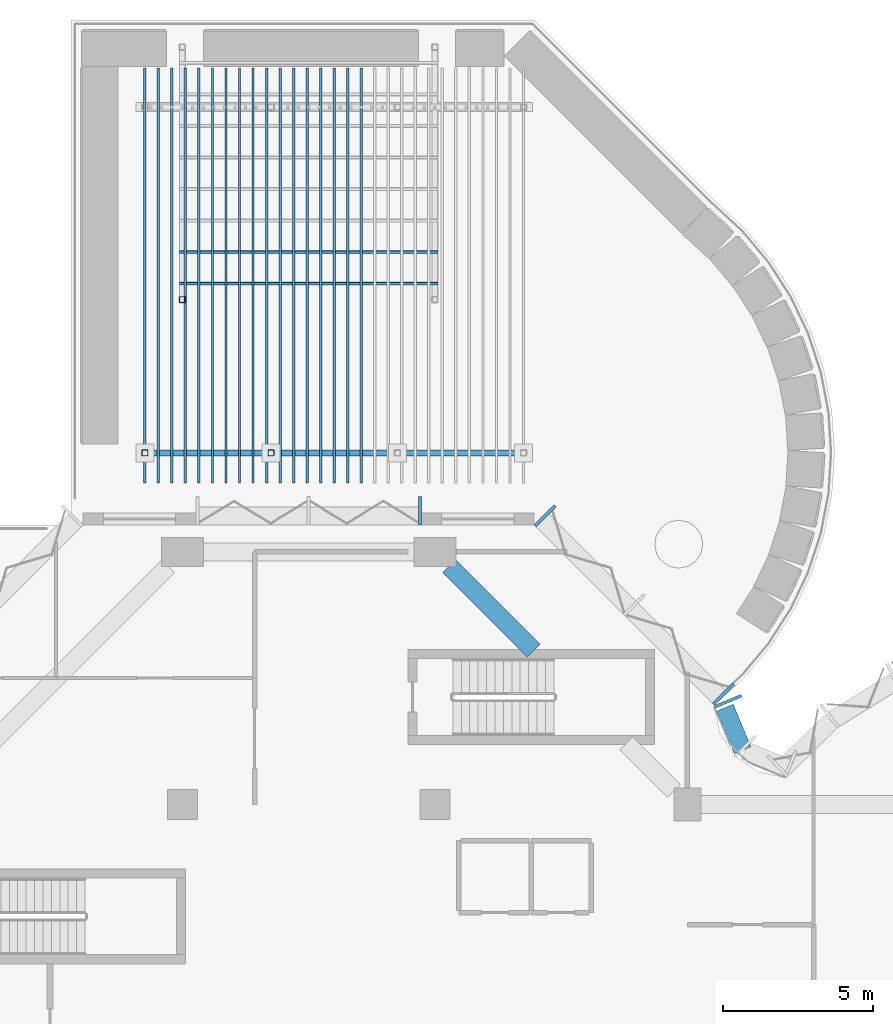
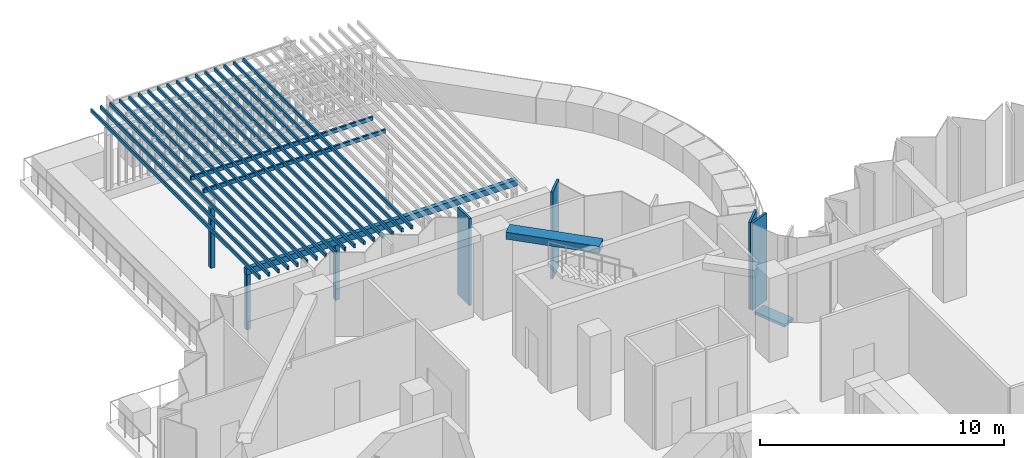
# One storey, part 3 of 15: 28 members, 1 beam, 3 elements without a shape of their own.
"""IFC4 building model written with IfcOpenShell, lengths in metres."""

from ifc_helpers import new_model, si_unit, direction, frame, origin, origin_2d, place, context, subcontext, project, spatial, rectangle, hollow_rectangle, extrude, material, material_profile, profile_set, type_object, element, aggregate, save


model = new_model("IFC4")

# Units and contexts
model_context = context("Model", 3, precision=1e-05, world=origin(), true_north=direction((0.0, 1.0)))
body_context = subcontext(model_context, "Body", "Model", "MODEL_VIEW")
ifc_project = project(units=[si_unit("LENGTHUNIT", "METRE"), si_unit("AREAUNIT", "SQUARE_METRE"), si_unit("VOLUMEUNIT", "CUBIC_METRE"), si_unit("PLANEANGLEUNIT", "RADIAN"), si_unit("MASSUNIT", "GRAM", prefix="KILO")], contexts=[model_context])

# Site, building, storey
site_placement = place(None, origin())
site = spatial("IfcSite", under=ifc_project, at=site_placement, CompositionType="ELEMENT")
building_placement = place(site_placement, origin())
building = spatial("IfcBuilding", under=site, at=building_placement, Name="Brevane Broadcast Tower", CompositionType="ELEMENT")
storey_placement = place(building_placement, frame((0.0, 0.0, 206.39990234375)))
storey = spatial("IfcBuildingStorey", under=building, at=storey_placement, Name="L52", CompositionType="ELEMENT", Elevation=206.39990234375)

# Curtain wall, member
ifc_material_1 = material(Name="Aluminium 6063-T6 bronze anodised", Category="aluminium")
curtain_wall_type = type_object("IfcCurtainWallType", Name="CW-4 curtain wall", PredefinedType="NOTDEFINED", material=ifc_material_1)
curtain_wall_1_placement = place(storey_placement, origin())
curtain_wall_1 = element("IfcCurtainWall", 1, at=curtain_wall_1_placement, inside=storey, type_object=curtain_wall_type, Name="CW-4 sky lobby unit L52 inner corner", PredefinedType="NOTDEFINED")
ifc_material_profile_1 = material_profile(ifc_material_1, rectangle(XDim=0.949951171875, YDim=0.10009765625, at=origin_2d()), Name="RECT 100x950")
ifc_profile_set_1 = profile_set([ifc_material_profile_1], Name="Aluminium 6063-T6 bronze anodised")
member_type_1 = type_object("IfcMemberType", Name="CW-4 mullion 100x950", PredefinedType="MULLION", material=ifc_profile_set_1)
member_1_placement = place(storey_placement, frame((26.557861328125, 28.635498046875, -0.159912109375), z_axis=(0.0, 0.0, 1.0), x_axis=(-0.923879532511, -0.382683432365, 0.0)))
member_1 = element("IfcMember", 2, at=member_1_placement, type_object=member_type_1, Name="CW-4 mullion", PredefinedType="MULLION", context=body_context, shape_type="SweptSolid", body=[
    extrude(rectangle(XDim=0.949951171875, YDim=0.10009765625, at=origin_2d()), origin(), (0.0, 0.0, 1.0), 4.360107421875),
])

# Curtain wall, members
curtain_wall_2_placement = place(storey_placement, origin())
curtain_wall_2 = element("IfcCurtainWall", 3, at=curtain_wall_2_placement, inside=storey, type_object=curtain_wall_type, Name="CW-4 sky lobby unit L52 north arm north-east chamfer", PredefinedType="NOTDEFINED")
member_2_placement = place(storey_placement, frame((26.400634765625, 28.871337890625, -0.159912109375), z_axis=(0.0, 0.0, 1.0), x_axis=(-0.707106781187, -0.707106781187, 0.0)))
member_2 = element("IfcMember", 4, at=member_2_placement, type_object=member_type_1, Name="CW-4 mullion", PredefinedType="MULLION", context=body_context, shape_type="SweptSolid", body=[
    extrude(rectangle(XDim=0.949951171875, YDim=0.10009765625, at=origin_2d()), origin(), (0.0, 0.0, 1.0), 4.360107421875),
])
member_3_placement = place(storey_placement, frame((20.47119140625, 34.800537109375, -0.159912109375), z_axis=(0.0, 0.0, 1.0), x_axis=(-0.707106781187, -0.707106781187, 0.0)))
member_3 = element("IfcMember", 5, at=member_3_placement, type_object=member_type_1, Name="CW-4 mullion", PredefinedType="MULLION", context=body_context, shape_type="SweptSolid", body=[
    extrude(rectangle(XDim=0.949951171875, YDim=0.10009765625, at=origin_2d()), origin(), (0.0, 0.0, 1.0), 4.360107421875),
])
aggregate(curtain_wall_2, [member_2, member_3])

# Curtain wall, member
curtain_wall_3_placement = place(storey_placement, origin())
curtain_wall_3 = element("IfcCurtainWall", 6, at=curtain_wall_3_placement, inside=storey, type_object=curtain_wall_type, Name="CW-4 sky lobby unit L52 north end", PredefinedType="NOTDEFINED")
member_4_placement = place(storey_placement, frame((16.300048828125, 34.97509765625, -0.159912109375), z_axis=(0.0, 0.0, 1.0), x_axis=(0.0, -1.0, 0.0)))
member_4 = element("IfcMember", 7, at=member_4_placement, type_object=member_type_1, Name="CW-4 mullion", PredefinedType="MULLION", context=body_context, shape_type="SweptSolid", body=[
    extrude(rectangle(XDim=0.949951171875, YDim=0.10009765625, at=origin_2d()), origin(), (0.0, 0.0, 1.0), 4.360107421875),
])
aggregate(curtain_wall_3, [member_4])

# Member
ifc_material_profile_2 = material_profile(ifc_material_1, rectangle(XDim=0.60009765625, YDim=0.139892578125, at=origin_2d()), Name="RECT 140x600")
ifc_profile_set_2 = profile_set([ifc_material_profile_2], Name="Aluminium 6063-T6 bronze anodised")
member_type_2 = type_object("IfcMemberType", Name="CW-4 transom 140x600", PredefinedType="USERDEFINED", material=ifc_profile_set_2)
member_5_placement = place(storey_placement, frame((27.039794921875, 27.0, -0.22998046875), z_axis=(-0.382674472816, 0.923883243627, 0.0), x_axis=(-0.923883243627, -0.382674472816, 0.0)))
member_5 = element("IfcMember", 8, at=member_5_placement, type_object=member_type_2, Name="CW-4 transom", ObjectType="TRANSOM", PredefinedType="USERDEFINED", context=body_context, shape_type="SweptSolid", body=[
    extrude(rectangle(XDim=0.60009765625, YDim=0.139892578125, at=origin_2d()), origin(), (0.0, 0.0, 1.0), 1.536865234375),
])

aggregate(curtain_wall_1, [member_1, member_5])

# Beam
ifc_material_2 = material(Name="Concrete C40/50", Category="concrete")
ifc_material_profile_3 = material_profile(ifc_material_2, rectangle(XDim=0.60009765625, YDim=0.35009765625, at=origin_2d()), Name="RC 600x350")
ifc_profile_set_3 = profile_set([ifc_material_profile_3], Name="Concrete C40/50")
beam_type = type_object("IfcBeamType", Name="RC SPANDREL BEAM 600x350 C40/50", PredefinedType="SPANDREL", material=ifc_profile_set_3)
beam_placement = place(storey_placement, frame((20.080078125, 30.320068359375, 4.025146484375), z_axis=(-0.707137552386, 0.707076008648, 0.0), x_axis=(-0.707076008648, -0.707137552386, 0.0)))
element("IfcBeam", 9, at=beam_placement, inside=storey, type_object=beam_type, Name="EB1 L52-12", PredefinedType="SPANDREL", context=body_context, shape_type="SweptSolid", body=[
    extrude(rectangle(XDim=0.60009765625, YDim=0.35009765625, at=origin_2d()), origin(), (0.0, 0.0, 1.0), 3.967041015625),
])

# Members
ifc_material_3 = material(Name="Steel S355", Category="steel")
ifc_material_profile_4 = material_profile(ifc_material_3, hollow_rectangle(XDim=0.199951171875, YDim=0.199951171875, WallThickness=0.010009765625, InnerFilletRadius=0.010009765625, OuterFilletRadius=0.02001953125, at=origin_2d()), Name="RHS 200x200x10")
ifc_profile_set_4 = profile_set([ifc_material_profile_4], Name="Steel S355")
member_type_3 = type_object("IfcMemberType", Name="Sky garden pergola post RHS 200x200x10 S355", PredefinedType="POST", material=ifc_profile_set_4)
member_6_placement = place(storey_placement, frame((8.39990234375, 42.0, 0.0), z_axis=(0.0, 0.0, 1.0), x_axis=(1.0, 0.0, 0.0)))
element("IfcMember", 10, at=member_6_placement, inside=storey, type_object=member_type_3, Name="Sky garden pergola post L52-1", PredefinedType="POST", context=body_context, shape_type="SweptSolid", body=[
    extrude(hollow_rectangle(XDim=0.199951171875, YDim=0.199951171875, WallThickness=0.010009765625, InnerFilletRadius=0.010009765625, OuterFilletRadius=0.02001953125, at=origin_2d()), origin(), (0.0, 0.0, 1.0), 3.0),
])
for number, where, z_axis, x_axis, name in (
    (11, (7.14990234375, 36.89990234375, 0.4501953125), (0.0, 0.0, 1.0), (1.0, 0.0, 0.0), "Sky garden trellis post L52-1"),
    (12, (11.35009765625, 36.89990234375, 0.4501953125), (0.0, 0.0, 1.0), (1.0, 0.0, 0.0), "Sky garden trellis post L52-2"),
):
    element("IfcMember", number, at=place(storey_placement, frame(where, z_axis=z_axis, x_axis=x_axis)), inside=storey, type_object=member_type_3, Name=name, PredefinedType="POST", context=body_context, shape_type="SweptSolid", body=[
        extrude(hollow_rectangle(XDim=0.199951171875, YDim=0.199951171875, WallThickness=0.010009765625, InnerFilletRadius=0.010009765625, OuterFilletRadius=0.02001953125, at=origin_2d()), origin(), (0.0, 0.0, 1.0), 2.75),
    ])
ifc_material_profile_5 = material_profile(ifc_material_3, hollow_rectangle(XDim=0.10009765625, YDim=0.199951171875, WallThickness=0.008056640625, InnerFilletRadius=0.008056640625, OuterFilletRadius=0.01611328125, at=origin_2d()), Name="RHS 200x100x8")
ifc_profile_set_5 = profile_set([ifc_material_profile_5], Name="Steel S355")
member_type_4 = type_object("IfcMemberType", Name="Sky garden pergola rafter RHS 200x100x8 S355", PredefinedType="USERDEFINED", material=ifc_profile_set_5)
for number, where, z_axis, x_axis, name in (
    (13, (8.300048828125, 42.52490234375, 3.5), (1.0, 0.0, 0.0), (0.0, 1.0, 0.0), "Sky garden pergola rafter L52-1"),
    (14, (8.300048828125, 43.574951171875, 3.5), (1.0, 0.0, 0.0), (0.0, 1.0, 0.0), "Sky garden pergola rafter L52-2"),
):
    element("IfcMember", number, at=place(storey_placement, frame(where, z_axis=z_axis, x_axis=x_axis)), inside=storey, type_object=member_type_4, Name=name, ObjectType="PERGOLA RAFTER", PredefinedType="USERDEFINED", context=body_context, shape_type="SweptSolid", body=[
        extrude(hollow_rectangle(XDim=0.10009765625, YDim=0.199951171875, WallThickness=0.008056640625, InnerFilletRadius=0.008056640625, OuterFilletRadius=0.01611328125, at=origin_2d()), origin(), (0.0, 0.0, 1.0), 8.599853515625),
    ])
ifc_material_4 = material(Name="Glulam GL28h", Category="wood")
ifc_material_profile_6 = material_profile(ifc_material_4, rectangle(XDim=0.199951171875, YDim=0.300048828125, at=origin_2d()), Name="RECT 200x300")
ifc_profile_set_6 = profile_set([ifc_material_profile_6], Name="Glulam GL28h")
member_type_5 = type_object("IfcMemberType", Name="Sky garden trellis beam glulam 200x300 GL28h", PredefinedType="USERDEFINED", material=ifc_profile_set_6)
member_7_placement = place(storey_placement, frame((7.050048828125, 36.89990234375, 3.35009765625), z_axis=(1.0, 0.0, 0.0), x_axis=(0.0, 1.0, 0.0)))
element("IfcMember", 15, at=member_7_placement, inside=storey, type_object=member_type_5, Name="Sky garden trellis beam L52-1", ObjectType="TRELLIS BEAM", PredefinedType="USERDEFINED", context=body_context, shape_type="SweptSolid", body=[
    extrude(rectangle(XDim=0.199951171875, YDim=0.300048828125, at=origin_2d()), origin(), (0.0, 0.0, 1.0), 12.800048828125),
])
ifc_material_profile_7 = material_profile(ifc_material_4, rectangle(XDim=0.080078125, YDim=0.179931640625, at=origin_2d()), Name="RECT 80x180")
ifc_profile_set_7 = profile_set([ifc_material_profile_7], Name="Glulam GL28h")
member_type_6 = type_object("IfcMemberType", Name="Sky garden trellis rafter glulam 80x180 GL28h", PredefinedType="USERDEFINED", material=ifc_profile_set_7)
for number, where, z_axis, x_axis, name in (
    (16, (7.14990234375, 35.89990234375, 3.590087890625), (0.0, 1.0, 0.0), (-1.0, 0.0, 0.0), "Sky garden trellis rafter L52-1"),
    (17, (7.60009765625, 35.89990234375, 3.590087890625), (0.0, 1.0, 0.0), (-1.0, 0.0, 0.0), "Sky garden trellis rafter L52-2"),
    (18, (8.050048828125, 35.89990234375, 3.590087890625), (0.0, 1.0, 0.0), (-1.0, 0.0, 0.0), "Sky garden trellis rafter L52-3"),
    (19, (8.5, 35.89990234375, 3.590087890625), (0.0, 1.0, 0.0), (-1.0, 0.0, 0.0), "Sky garden trellis rafter L52-4"),
    (20, (8.949951171875, 35.89990234375, 3.590087890625), (0.0, 1.0, 0.0), (-1.0, 0.0, 0.0), "Sky garden trellis rafter L52-5"),
    (21, (9.39990234375, 35.89990234375, 3.590087890625), (0.0, 1.0, 0.0), (-1.0, 0.0, 0.0), "Sky garden trellis rafter L52-6"),
    (22, (9.85009765625, 35.89990234375, 3.590087890625), (0.0, 1.0, 0.0), (-1.0, 0.0, 0.0), "Sky garden trellis rafter L52-7"),
    (23, (10.300048828125, 35.89990234375, 3.590087890625), (0.0, 1.0, 0.0), (-1.0, 0.0, 0.0), "Sky garden trellis rafter L52-8"),
    (24, (10.75, 35.89990234375, 3.590087890625), (0.0, 1.0, 0.0), (-1.0, 0.0, 0.0), "Sky garden trellis rafter L52-9"),
    (25, (11.199951171875, 35.89990234375, 3.590087890625), (0.0, 1.0, 0.0), (-1.0, 0.0, 0.0), "Sky garden trellis rafter L52-10"),
    (26, (11.64990234375, 35.89990234375, 3.590087890625), (0.0, 1.0, 0.0), (-1.0, 0.0, 0.0), "Sky garden trellis rafter L52-11"),
    (27, (12.10009765625, 35.89990234375, 3.590087890625), (0.0, 1.0, 0.0), (-1.0, 0.0, 0.0), "Sky garden trellis rafter L52-12"),
    (28, (12.550048828125, 35.89990234375, 3.590087890625), (0.0, 1.0, 0.0), (-1.0, 0.0, 0.0), "Sky garden trellis rafter L52-13"),
    (29, (13.0, 35.89990234375, 3.590087890625), (0.0, 1.0, 0.0), (-1.0, 0.0, 0.0), "Sky garden trellis rafter L52-14"),
    (30, (13.449951171875, 35.89990234375, 3.590087890625), (0.0, 1.0, 0.0), (-1.0, 0.0, 0.0), "Sky garden trellis rafter L52-15"),
    (31, (13.89990234375, 35.89990234375, 3.590087890625), (0.0, 1.0, 0.0), (-1.0, 0.0, 0.0), "Sky garden trellis rafter L52-16"),
    (32, (14.35009765625, 35.89990234375, 3.590087890625), (0.0, 1.0, 0.0), (-1.0, 0.0, 0.0), "Sky garden trellis rafter L52-17"),
):
    element("IfcMember", number, at=place(storey_placement, frame(where, z_axis=z_axis, x_axis=x_axis)), inside=storey, type_object=member_type_6, Name=name, ObjectType="TRELLIS RAFTER", PredefinedType="USERDEFINED", context=body_context, shape_type="SweptSolid", body=[
        extrude(rectangle(XDim=0.080078125, YDim=0.179931640625, at=origin_2d()), origin(), (0.0, 0.0, 1.0), 13.800048828125),
    ])

save(model, "model.ifc")
